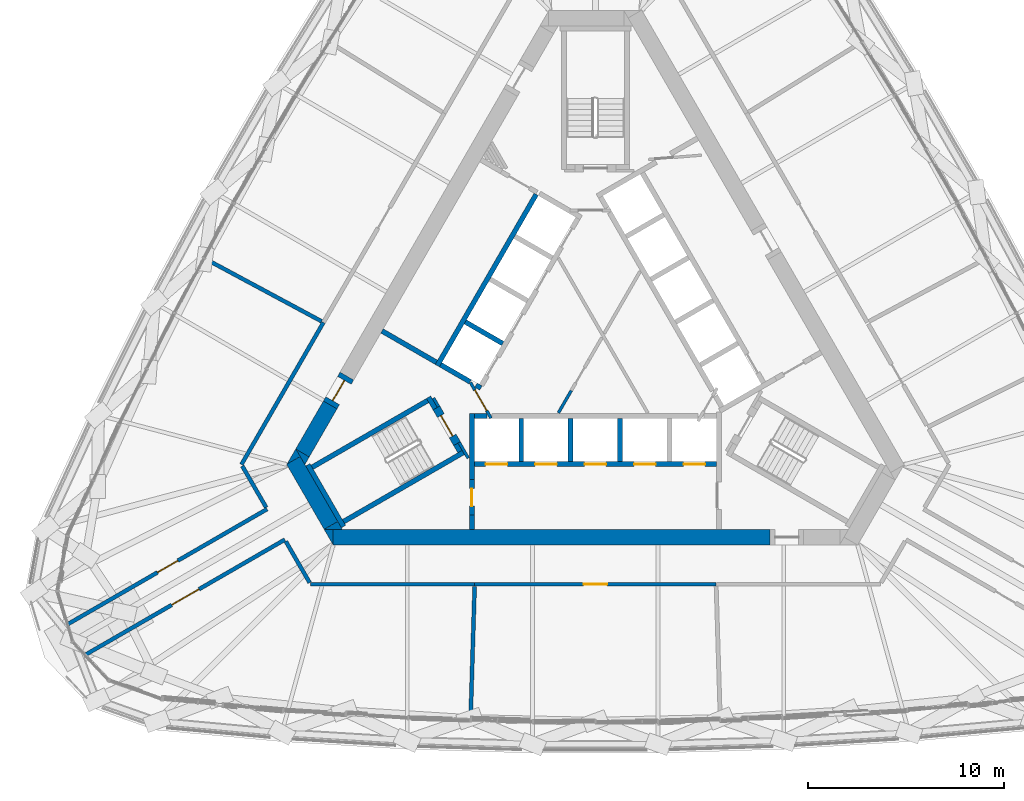
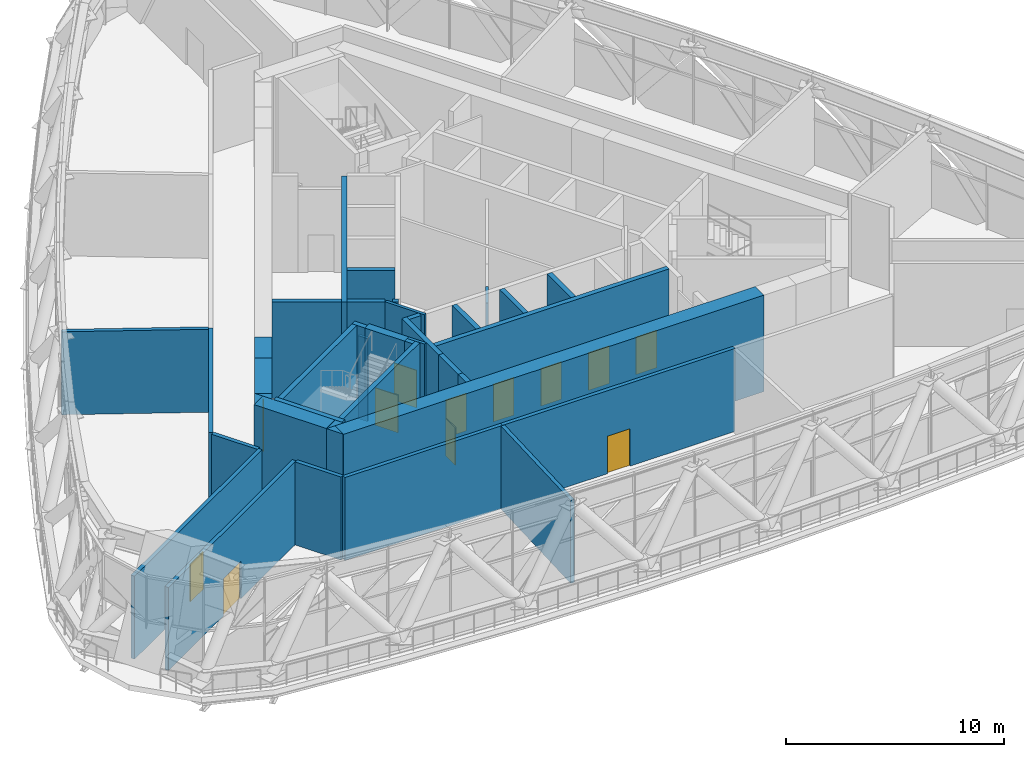
# One storey, part 22 of 35: 40 walls, 12 doors, 12 openings.
"""IFC4 building model written with IfcOpenShell, lengths in metres."""

from ifc_helpers import new_model, si_unit, direction, frame, frame_2d, origin, place, context, subcontext, project, spatial, polyline, rectangle, outline, extrude, material, layer, layer_set, type_object, element, fill, save


model = new_model("IFC4")

# Units and contexts
model_context = context("Model", 3, precision=1e-05, world=origin(), true_north=direction((0.0, 1.0)))
body_context = subcontext(model_context, "Body", "Model", "MODEL_VIEW")
ifc_project = project(units=[si_unit("LENGTHUNIT", "METRE"), si_unit("AREAUNIT", "SQUARE_METRE"), si_unit("VOLUMEUNIT", "CUBIC_METRE"), si_unit("PLANEANGLEUNIT", "RADIAN"), si_unit("MASSUNIT", "GRAM", prefix="KILO")], contexts=[model_context])

# Site, building, storey
site_placement = place(None, origin())
site = spatial("IfcSite", under=ifc_project, at=site_placement, CompositionType="ELEMENT")
building_placement = place(site_placement, origin())
building = spatial("IfcBuilding", under=site, at=building_placement, Name="Mestral Congress Tower", CompositionType="ELEMENT")
storey_placement = place(building_placement, frame((0.0, 0.0, 196.199951171875)))
storey = spatial("IfcBuildingStorey", under=building, at=storey_placement, Name="L46", CompositionType="ELEMENT", Elevation=196.199951171875)

# Walls
ifc_material_1 = material(Name="Fire-rated board partition")
ifc_layer_1 = layer(ifc_material_1, 0.14990234375)
ifc_layer_set_1 = layer_set([ifc_layer_1], Name="Fire-rated board partition")
wall_type_1 = type_object("IfcWallType", Name="Core partition 150", PredefinedType="PARTITIONING", material=ifc_layer_set_1)
wall_1_placement = place(storey_placement, frame((-8.251953125, -2.958251953125, 0.0), z_axis=(0.0, 0.0, 1.0), x_axis=(0.500174715838, -0.865924508047, 0.0)))
element("IfcWall", 1, at=wall_1_placement, inside=storey, type_object=wall_type_1, Name="L46 core wall", PredefinedType="PARTITIONING", context=body_context, shape_type="SweptSolid", body=[
    extrude(rectangle(XDim=0.513916015625, YDim=0.14990234375, at=frame_2d((0.2568359375, 0.0))), origin(), (0.0, 0.0, 1.0), 4.650146484375),
])
wall_2_placement = place(storey_placement, frame((-1.886962890625, -3.71826171875, 0.0), z_axis=(0.0, 0.0, 1.0), x_axis=(0.500033191285, 0.866006239939, 0.0)))
element("IfcWall", 2, at=wall_2_placement, inside=storey, type_object=wall_type_1, Name="L46 core wall", PredefinedType="PARTITIONING", context=body_context, shape_type="SweptSolid", body=[
    extrude(rectangle(XDim=1.31494140625, YDim=0.14990234375, at=frame_2d((0.657470703125, 0.0))), origin(), (0.0, 0.0, 1.0), 4.650146484375),
])
ifc_material_2 = material(Name="Concrete C60/75", Category="concrete")
ifc_layer_2 = layer(ifc_material_2, 0.800048828125)
ifc_layer_set_2 = layer_set([ifc_layer_2], Name="Concrete C60/75")
wall_type_2 = type_object("IfcWallType", Name="Core wall RC 800", PredefinedType="SOLIDWALL", material=ifc_layer_set_2)
wall_3_placement = place(storey_placement, frame((-13.377685546875, -10.050048828125, 0.0), z_axis=(0.0, 0.0, 1.0), x_axis=(1.0, 0.0, 0.0)))
element("IfcWall", 3, at=wall_3_placement, inside=storey, type_object=wall_type_2, Name="L46 core wall", PredefinedType="SOLIDWALL", context=body_context, shape_type="SweptSolid", body=[
    extrude(rectangle(XDim=22.281982421875, YDim=0.800048828125, at=frame_2d((11.14111328125, 0.0))), origin(), (0.0, 0.0, 1.0), 5.400146484375),
])
placement = place(storey_placement, origin())
element("IfcWall", 4, at=placement, inside=storey, type_object=wall_type_2, Name="L46 core wall", PredefinedType="SOLIDWALL", context=body_context, shape_type="SweptSolid", body=[
    extrude(outline(polyline([(-13.82763671875, -9.64990234375), (-13.379638671875, -9.64990234375), (-13.379638671875, -10.42578125), (-13.82763671875, -9.64990234375)])), origin(), (0.0, 0.0, 1.0), 5.400146484375),
])
wall_5_placement = place(storey_placement, frame((-15.392333984375, -6.1396484375, 0.0), z_axis=(0.0, 0.0, 1.0), x_axis=(0.499984020225, -0.866034629516, 0.0)))
element("IfcWall", 5, at=wall_5_placement, inside=storey, type_object=wall_type_2, Name="L46 core wall", PredefinedType="SOLIDWALL", context=body_context, shape_type="SweptSolid", body=[
    extrude(rectangle(XDim=3.824462890625, YDim=0.800048828125, at=frame_2d((1.912109375, 0.0))), origin(), (0.0, 0.0, 1.0), 5.400146484375),
])
element("IfcWall", 6, at=placement, inside=storey, type_object=wall_type_2, Name="L46 core wall", PredefinedType="SOLIDWALL", context=body_context, shape_type="SweptSolid", body=[
    extrude(outline(polyline([(-15.046875, -5.93798828125), (-15.718994140625, -6.325927734375), (-15.27099609375, -5.550048828125), (-15.046875, -5.93798828125)])), origin(), (0.0, 0.0, 1.0), 5.400146484375),
])
element("IfcWall", 7, at=placement, inside=storey, type_object=wall_type_2, Name="L46 core wall", PredefinedType="SOLIDWALL", context=body_context, shape_type="SweptSolid", body=[
    extrude(outline(polyline([(-12.90380859375, -9.64990234375), (-13.81982421875, -9.64990234375), (-13.1328125, -9.25341796875), (-12.90380859375, -9.64990234375)])), origin(), (0.0, 0.0, 1.0), 5.400146484375),
])
wall_8_placement = place(storey_placement, frame((-13.518310546875, -3.314208984375, 0.0), z_axis=(0.0, 0.0, 1.0), x_axis=(-0.499969377405, -0.866043083026, 0.0)))
element("IfcWall", 8, at=wall_8_placement, inside=storey, type_object=wall_type_2, Name="L46 core wall", PredefinedType="SOLIDWALL", context=body_context, shape_type="SweptSolid", body=[
    extrude(rectangle(XDim=2.824462890625, YDim=0.800048828125, at=frame_2d((1.412109375, 0.0))), origin(), (0.0, 0.0, 1.0), 5.400146484375),
])
element("IfcWall", 9, at=placement, inside=storey, type_object=wall_type_2, Name="L46 core wall", PredefinedType="SOLIDWALL", context=body_context, shape_type="SweptSolid", body=[
    extrude(outline(polyline([(-14.80908203125, -6.35009765625), (-15.257080078125, -5.573974609375), (-14.5849609375, -5.9619140625), (-14.80908203125, -6.35009765625)])), origin(), (0.0, 0.0, 1.0), 5.400146484375),
])

# Wall, opening, door
wall_10_placement = place(storey_placement, frame((-13.518310546875, -3.314208984375, 0.0), z_axis=(0.0, 0.0, 1.0), x_axis=(0.500000056704, 0.866025371046, 0.0)))
wall_10 = element("IfcWall", 10, at=wall_10_placement, inside=storey, type_object=wall_type_2, Name="L46 door wall", PredefinedType="SOLIDWALL", context=body_context, shape_type="SweptSolid", body=[
    extrude(rectangle(XDim=1.7001953125, YDim=0.800048828125, at=frame_2d((0.85009765625, 0.0))), origin(), (0.0, 0.0, 1.0), 5.400146484375),
])
opening_1_placement = place(wall_10_placement, frame((0.25, 0.0, 0.0)))
opening_1 = element("IfcOpeningElement", 11, at=opening_1_placement, cuts=wall_10, Name="Opening XD3", PredefinedType="OPENING", context=body_context, shape_type="SweptSolid", body=[
    extrude(rectangle(XDim=1.199951171875, YDim=2.10009765625, at=frame_2d((0.60009765625, 1.050048828125))), frame((0.0, 0.409912109375, 0.0), z_axis=(0.0, -1.0, 0.0), x_axis=(1.0, 0.0, 0.0)), (0.0, 0.0, 1.0), 0.820068359375),
])
ifc_material_3 = material(Name="Fire-rated steel door set", Category="steel")
door_type_1 = type_object("IfcDoorType", Name="Core door XD 1200x2100", OperationType="SINGLE_SWING_LEFT", PredefinedType="DOOR", material=ifc_material_3)
door_1_placement = place(opening_1_placement, origin())
door_1 = element("IfcDoor", 12, at=door_1_placement, inside=storey, type_object=door_type_1, Name="Door XD3", OperationType="SINGLE_SWING_LEFT", OverallHeight=2.10009765625, OverallWidth=1.199951171875, PredefinedType="DOOR", context=body_context, shape_type="SweptSolid", body=[
    extrude(rectangle(XDim=1.199951171875, YDim=2.10009765625, at=frame_2d((0.60009765625, 1.050048828125))), frame((0.0, 0.02490234375, 0.0), z_axis=(0.0, -1.0, 0.0), x_axis=(1.0, 0.0, 0.0)), (0.0, 0.0, 1.0), 0.050048828125),
])
fill(opening_1, door_1)

# Walls
ifc_layer_3 = layer(ifc_material_2, 0.25)
ifc_layer_set_3 = layer_set([ifc_layer_3], Name="Concrete C60/75")
wall_type_3 = type_object("IfcWallType", Name="Shaft wall RC 250", PredefinedType="SOLIDWALL", material=ifc_layer_set_3)
wall_11_placement = place(storey_placement, frame((-6.300048828125, -8.9248046875, 0.0), z_axis=(0.0, 0.0, 1.0), x_axis=(0.0, -1.0, 0.0)))
element("IfcWall", 13, at=wall_11_placement, inside=storey, type_object=wall_type_3, Name="L46 core wall", PredefinedType="SOLIDWALL", context=body_context, shape_type="SweptSolid", body=[
    extrude(rectangle(XDim=0.72509765625, YDim=0.25, at=frame_2d((0.362548828125, 0.0))), origin(), (0.0, 0.0, 1.0), 5.400146484375),
])
for number, where, z_axis, x_axis, name in (
    (14, (1.260009765625, -4.0, 0.0), (0.0, 0.0, 1.0), (0.0, -1.0, 0.0), "L46 core wall"),
    (15, (-1.260009765625, -4.0, 0.0), (0.0, 0.0, 1.0), (0.0, -1.0, 0.0), "L46 core wall"),
    (16, (-3.780029296875, -4.0, 0.0), (0.0, 0.0, 1.0), (0.0, -1.0, 0.0), "L46 core wall"),
):
    element("IfcWall", number, at=place(storey_placement, frame(where, z_axis=z_axis, x_axis=x_axis)), inside=storey, type_object=wall_type_3, Name=name, PredefinedType="SOLIDWALL", context=body_context, shape_type="SweptSolid", body=[
        extrude(rectangle(XDim=2.199951171875, YDim=0.25, at=frame_2d((1.10009765625, 0.0))), origin(), (0.0, 0.0, 1.0), 5.400146484375),
    ])
wall_12_placement = place(storey_placement, frame((-6.300048828125, -7.12451171875, 0.0), z_axis=(0.0, 0.0, 1.0), x_axis=(0.0, 1.0, 0.0)))
element("IfcWall", 17, at=wall_12_placement, inside=storey, type_object=wall_type_3, Name="L46 core wall", PredefinedType="SOLIDWALL", context=body_context, shape_type="SweptSolid", body=[
    extrude(rectangle(XDim=3.37451171875, YDim=0.25, at=frame_2d((1.687255859375, 0.0))), origin(), (0.0, 0.0, 1.0), 5.400146484375),
])
wall_13_placement = place(storey_placement, frame((-6.175048828125, -3.875, 0.0), z_axis=(0.0, 0.0, 1.0), x_axis=(1.0, 0.0, 0.0)))
element("IfcWall", 18, at=wall_13_placement, inside=storey, type_object=wall_type_3, Name="L46 core wall", PredefinedType="SOLIDWALL", context=body_context, shape_type="SweptSolid", body=[
    extrude(rectangle(XDim=0.63671875, YDim=0.25, at=frame_2d((0.318359375, 0.0))), origin(), (0.0, 0.0, 1.0), 5.400146484375),
])
wall_14_placement = place(storey_placement, frame((-3.02001953125, 7.4189453125, 0.0), z_axis=(0.0, 0.0, 1.0), x_axis=(-0.500022956343, -0.866012149528, 0.0)))
element("IfcWall", 19, at=wall_14_placement, inside=storey, type_object=wall_type_3, Name="L46 core wall", PredefinedType="SOLIDWALL", context=body_context, shape_type="SweptSolid", body=[
    extrude(rectangle(XDim=10.080078125, YDim=0.25, at=frame_2d((5.0400390625, 0.0))), origin(), (0.0, 0.0, 1.0), 5.400146484375),
])
wall_15_placement = place(storey_placement, frame((-4.72412109375, -0.182373046875, 0.0), z_axis=(0.0, 0.0, 1.0), x_axis=(-0.866008176907, 0.50002983664, 0.0)))
element("IfcWall", 20, at=wall_15_placement, inside=storey, type_object=wall_type_3, Name="L46 core wall", PredefinedType="SOLIDWALL", context=body_context, shape_type="SweptSolid", body=[
    extrude(rectangle(XDim=2.199951171875, YDim=0.25, at=frame_2d((1.10009765625, 0.0))), origin(), (0.0, 0.0, 1.0), 5.400146484375),
])
wall_16_placement = place(storey_placement, frame((-6.088134765625, -2.3046875, 0.0), z_axis=(0.0, 0.0, 1.0), x_axis=(0.866059450854, -0.499941024108, 0.0)))
element("IfcWall", 21, at=wall_16_placement, inside=storey, type_object=wall_type_3, Name="L46 core wall", PredefinedType="SOLIDWALL", context=body_context, shape_type="SweptSolid", body=[
    extrude(rectangle(XDim=0.2900390625, YDim=0.25, at=frame_2d((0.14501953125, 0.0))), origin(), (0.0, 0.0, 1.0), 5.400146484375),
])
wall_17_placement = place(storey_placement, frame((-7.889404296875, -1.2646484375, 0.0), z_axis=(0.0, 0.0, 1.0), x_axis=(0.865986741702, -0.500066958712, 0.0)))
element("IfcWall", 22, at=wall_17_placement, inside=storey, type_object=wall_type_3, Name="L46 core wall", PredefinedType="SOLIDWALL", context=body_context, shape_type="SweptSolid", body=[
    extrude(rectangle(XDim=1.738037109375, YDim=0.25, at=frame_2d((0.869140625, 0.0))), origin(), (0.0, 0.0, 1.0), 5.400146484375),
])
wall_18_placement = place(storey_placement, frame((-8.10595703125, -1.139892578125, 0.0), z_axis=(0.0, 0.0, 1.0), x_axis=(-0.866008981251, 0.500028443584, 0.0)))
element("IfcWall", 23, at=wall_18_placement, inside=storey, type_object=wall_type_3, Name="L46 core wall", PredefinedType="SOLIDWALL", context=body_context, shape_type="SweptSolid", body=[
    extrude(rectangle(XDim=3.199951171875, YDim=0.25, at=frame_2d((1.60009765625, 0.0))), origin(), (0.0, 0.0, 1.0), 5.400146484375),
])

# Wall, openings, doors
wall_19_placement = place(storey_placement, frame((-6.175048828125, -6.324951171875, 0.0), z_axis=(0.0, 0.0, 1.0), x_axis=(1.0, 0.0, 0.0)))
wall_19 = element("IfcWall", 24, at=wall_19_placement, inside=storey, type_object=wall_type_3, Name="L46 door wall", PredefinedType="SOLIDWALL", context=body_context, shape_type="SweptSolid", body=[
    extrude(rectangle(XDim=12.35009765625, YDim=0.25, at=frame_2d((6.175048828125, 0.0))), origin(), (0.0, 0.0, 1.0), 5.400146484375),
])
opening_2_placement = place(wall_19_placement, frame((0.5849609375, 0.0, 0.0)))
opening_2 = element("IfcOpeningElement", 25, at=opening_2_placement, cuts=wall_19, Name="Opening LD-SOB1", PredefinedType="OPENING", context=body_context, shape_type="SweptSolid", body=[
    extrude(rectangle(XDim=1.10009765625, YDim=2.10009765625, at=frame_2d((0.550048828125, 1.050048828125))), frame((0.0, 0.135009765625, 0.0), z_axis=(0.0, -1.0, 0.0), x_axis=(1.0, 0.0, 0.0)), (0.0, 0.0, 1.0), 0.27001953125),
])
opening_3_placement = place(wall_19_placement, frame((3.10498046875, 0.0, 0.0)))
opening_3 = element("IfcOpeningElement", 26, at=opening_3_placement, cuts=wall_19, Name="Opening LD-SOB2", PredefinedType="OPENING", context=body_context, shape_type="SweptSolid", body=[
    extrude(rectangle(XDim=1.10009765625, YDim=2.10009765625, at=frame_2d((0.550048828125, 1.050048828125))), frame((0.0, 0.135009765625, 0.0), z_axis=(0.0, -1.0, 0.0), x_axis=(1.0, 0.0, 0.0)), (0.0, 0.0, 1.0), 0.27001953125),
])
opening_4_placement = place(wall_19_placement, frame((5.625, 0.0, 0.0)))
opening_4 = element("IfcOpeningElement", 27, at=opening_4_placement, cuts=wall_19, Name="Opening LD-SOB3", PredefinedType="OPENING", context=body_context, shape_type="SweptSolid", body=[
    extrude(rectangle(XDim=1.10009765625, YDim=2.10009765625, at=frame_2d((0.550048828125, 1.050048828125))), frame((0.0, 0.135009765625, 0.0), z_axis=(0.0, -1.0, 0.0), x_axis=(1.0, 0.0, 0.0)), (0.0, 0.0, 1.0), 0.27001953125),
])
opening_5_placement = place(wall_19_placement, frame((8.14501953125, 0.0, 0.0)))
opening_5 = element("IfcOpeningElement", 28, at=opening_5_placement, cuts=wall_19, Name="Opening LD-SOB4", PredefinedType="OPENING", context=body_context, shape_type="SweptSolid", body=[
    extrude(rectangle(XDim=1.10009765625, YDim=2.10009765625, at=frame_2d((0.550048828125, 1.050048828125))), frame((0.0, 0.135009765625, 0.0), z_axis=(0.0, -1.0, 0.0), x_axis=(1.0, 0.0, 0.0)), (0.0, 0.0, 1.0), 0.27001953125),
])
opening_6_placement = place(wall_19_placement, frame((10.6650390625, 0.0, 0.0)))
opening_6 = element("IfcOpeningElement", 29, at=opening_6_placement, cuts=wall_19, Name="Opening LD-SOB5", PredefinedType="OPENING", context=body_context, shape_type="SweptSolid", body=[
    extrude(rectangle(XDim=1.10009765625, YDim=2.10009765625, at=frame_2d((0.550048828125, 1.050048828125))), frame((0.0, 0.135009765625, 0.0), z_axis=(0.0, -1.0, 0.0), x_axis=(1.0, 0.0, 0.0)), (0.0, 0.0, 1.0), 0.27001953125),
])
door_type_2 = type_object("IfcDoorType", Name="Core door LD 1100x2100", OperationType="DOUBLE_DOOR_SLIDING", PredefinedType="DOOR", material=ifc_material_3)
door_2_placement = place(opening_2_placement, origin())
door_2 = element("IfcDoor", 30, at=door_2_placement, inside=storey, type_object=door_type_2, Name="Door LD-SOB1", OperationType="DOUBLE_DOOR_SLIDING", OverallHeight=2.10009765625, OverallWidth=1.10009765625, PredefinedType="DOOR", context=body_context, shape_type="SweptSolid", body=[
    extrude(rectangle(XDim=1.10009765625, YDim=2.10009765625, at=frame_2d((0.550048828125, 1.050048828125))), frame((0.0, 0.02490234375, 0.0), z_axis=(0.0, -1.0, 0.0), x_axis=(1.0, 0.0, 0.0)), (0.0, 0.0, 1.0), 0.050048828125),
])
fill(opening_2, door_2)
door_3_placement = place(opening_3_placement, origin())
door_3 = element("IfcDoor", 31, at=door_3_placement, inside=storey, type_object=door_type_2, Name="Door LD-SOB2", OperationType="DOUBLE_DOOR_SLIDING", OverallHeight=2.10009765625, OverallWidth=1.10009765625, PredefinedType="DOOR", context=body_context, shape_type="SweptSolid", body=[
    extrude(rectangle(XDim=1.10009765625, YDim=2.10009765625, at=frame_2d((0.550048828125, 1.050048828125))), frame((0.0, 0.02490234375, 0.0), z_axis=(0.0, -1.0, 0.0), x_axis=(1.0, 0.0, 0.0)), (0.0, 0.0, 1.0), 0.050048828125),
])
fill(opening_3, door_3)
door_4_placement = place(opening_4_placement, origin())
door_4 = element("IfcDoor", 32, at=door_4_placement, inside=storey, type_object=door_type_2, Name="Door LD-SOB3", OperationType="DOUBLE_DOOR_SLIDING", OverallHeight=2.10009765625, OverallWidth=1.10009765625, PredefinedType="DOOR", context=body_context, shape_type="SweptSolid", body=[
    extrude(rectangle(XDim=1.10009765625, YDim=2.10009765625, at=frame_2d((0.550048828125, 1.050048828125))), frame((0.0, 0.02490234375, 0.0), z_axis=(0.0, -1.0, 0.0), x_axis=(1.0, 0.0, 0.0)), (0.0, 0.0, 1.0), 0.050048828125),
])
fill(opening_4, door_4)
door_5_placement = place(opening_5_placement, origin())
door_5 = element("IfcDoor", 33, at=door_5_placement, inside=storey, type_object=door_type_2, Name="Door LD-SOB4", OperationType="DOUBLE_DOOR_SLIDING", OverallHeight=2.10009765625, OverallWidth=1.10009765625, PredefinedType="DOOR", context=body_context, shape_type="SweptSolid", body=[
    extrude(rectangle(XDim=1.10009765625, YDim=2.10009765625, at=frame_2d((0.550048828125, 1.050048828125))), frame((0.0, 0.02490234375, 0.0), z_axis=(0.0, -1.0, 0.0), x_axis=(1.0, 0.0, 0.0)), (0.0, 0.0, 1.0), 0.050048828125),
])
fill(opening_5, door_5)
door_6_placement = place(opening_6_placement, origin())
door_6 = element("IfcDoor", 34, at=door_6_placement, inside=storey, type_object=door_type_2, Name="Door LD-SOB5", OperationType="DOUBLE_DOOR_SLIDING", OverallHeight=2.10009765625, OverallWidth=1.10009765625, PredefinedType="DOOR", context=body_context, shape_type="SweptSolid", body=[
    extrude(rectangle(XDim=1.10009765625, YDim=2.10009765625, at=frame_2d((0.550048828125, 1.050048828125))), frame((0.0, 0.02490234375, 0.0), z_axis=(0.0, -1.0, 0.0), x_axis=(1.0, 0.0, 0.0)), (0.0, 0.0, 1.0), 0.050048828125),
])
fill(opening_6, door_6)

# Wall, opening, door
wall_20_placement = place(storey_placement, frame((-6.300048828125, -7.12451171875, 0.0), z_axis=(0.0, 0.0, 1.0), x_axis=(0.0, -1.0, 0.0)))
wall_20 = element("IfcWall", 35, at=wall_20_placement, inside=storey, type_object=wall_type_3, Name="L46 door wall", PredefinedType="SOLIDWALL", context=body_context, shape_type="SweptSolid", body=[
    extrude(rectangle(XDim=1.800048828125, YDim=0.25, at=frame_2d((0.89990234375, 0.0))), origin(), (0.0, 0.0, 1.0), 5.400146484375),
])
opening_7_placement = place(wall_20_placement, frame((0.449951171875, 0.0, 0.0)))
opening_7 = element("IfcOpeningElement", 36, at=opening_7_placement, cuts=wall_20, Name="Opening TD3", PredefinedType="OPENING", context=body_context, shape_type="SweptSolid", body=[
    extrude(rectangle(XDim=0.89990234375, YDim=2.10009765625, at=frame_2d((0.449951171875, 1.050048828125))), frame((0.0, 0.135009765625, 0.0), z_axis=(0.0, -1.0, 0.0), x_axis=(1.0, 0.0, 0.0)), (0.0, 0.0, 1.0), 0.27001953125),
])
door_type_3 = type_object("IfcDoorType", Name="Core door SR 900x2100", OperationType="SINGLE_SWING_LEFT", PredefinedType="DOOR", material=ifc_material_3)
door_7_placement = place(opening_7_placement, origin())
door_7 = element("IfcDoor", 37, at=door_7_placement, inside=storey, type_object=door_type_3, Name="Door TD3", OperationType="SINGLE_SWING_LEFT", OverallHeight=2.10009765625, OverallWidth=0.89990234375, PredefinedType="DOOR", context=body_context, shape_type="SweptSolid", body=[
    extrude(rectangle(XDim=0.89990234375, YDim=2.10009765625, at=frame_2d((0.449951171875, 1.050048828125))), frame((0.0, 0.02490234375, 0.0), z_axis=(0.0, -1.0, 0.0), x_axis=(1.0, 0.0, 0.0)), (0.0, 0.0, 1.0), 0.050048828125),
])
fill(opening_7, door_7)

# Wall
ifc_layer_4 = layer(ifc_material_2, 0.14990234375)
ifc_layer_set_4 = layer_set([ifc_layer_4], Name="Concrete C60/75")
wall_type_4 = type_object("IfcWallType", Name="Shaft wall RC 250 door-wall 150", PredefinedType="SOLIDWALL", material=ifc_layer_set_4)
wall_21_placement = place(storey_placement, frame((-6.48046875, -6.026611328125, 0.0), z_axis=(0.0, 0.0, 1.0), x_axis=(-0.499927229454, 0.866067413802, 0.0)))
element("IfcWall", 38, at=wall_21_placement, inside=storey, type_object=wall_type_4, Name="L46 core wall", PredefinedType="PARTITIONING", context=body_context, shape_type="SweptSolid", body=[
    extrude(rectangle(XDim=0.928955078125, YDim=0.14990234375, at=frame_2d((0.46435546875, 0.0))), origin(), (0.0, 0.0, 1.0), 5.400146484375),
])

# Wall, opening, door
wall_22_placement = place(storey_placement, frame((-5.3173828125, -3.98974609375, 0.0), z_axis=(0.0, 0.0, 1.0), x_axis=(-0.500027713859, 0.866009402589, 0.0)))
wall_22 = element("IfcWall", 39, at=wall_22_placement, inside=storey, type_object=wall_type_4, Name="L46 door wall", PredefinedType="PARTITIONING", context=body_context, shape_type="SweptSolid", body=[
    extrude(rectangle(XDim=2.10009765625, YDim=0.14990234375, at=frame_2d((1.050048828125, 0.0))), origin(), (0.0, 0.0, 1.0), 5.400146484375),
])
opening_8_placement = place(wall_22_placement, frame((0.449951171875, 0.0, 0.0)))
opening_8 = element("IfcOpeningElement", 40, at=opening_8_placement, cuts=wall_22, Name="Opening CD3-FF", PredefinedType="OPENING", context=body_context, shape_type="SweptSolid", body=[
    extrude(rectangle(XDim=1.199951171875, YDim=2.10009765625, at=frame_2d((0.60009765625, 1.050048828125))), frame((0.0, 0.0849609375, 0.0), z_axis=(0.0, -1.0, 0.0), x_axis=(1.0, 0.0, 0.0)), (0.0, 0.0, 1.0), 0.169921875),
])
door_type_4 = type_object("IfcDoorType", Name="Core door CD 1200x2100", OperationType="SINGLE_SWING_LEFT", PredefinedType="DOOR", material=ifc_material_3)
door_8_placement = place(opening_8_placement, origin())
door_8 = element("IfcDoor", 41, at=door_8_placement, inside=storey, type_object=door_type_4, Name="Door CD3-FF", OperationType="SINGLE_SWING_LEFT", OverallHeight=2.10009765625, OverallWidth=1.199951171875, PredefinedType="DOOR", context=body_context, shape_type="SweptSolid", body=[
    extrude(rectangle(XDim=1.199951171875, YDim=2.10009765625, at=frame_2d((0.60009765625, 1.050048828125))), frame((0.0, 0.02490234375, 0.0), z_axis=(0.0, -1.0, 0.0), x_axis=(1.0, 0.0, 0.0)), (0.0, 0.0, 1.0), 0.050048828125),
])
fill(opening_8, door_8)

ifc_material_4 = material(Name="Concrete block wall, plastered", Category="concrete")
ifc_layer_5 = layer(ifc_material_4, 0.199951171875)
ifc_layer_set_5 = layer_set([ifc_layer_5], Name="Concrete block wall, plastered")
wall_type_5 = type_object("IfcWallType", Name="Special partition 200 EI 120", PredefinedType="PARTITIONING", material=ifc_layer_set_5)
wall_23_placement = place(storey_placement, frame((-6.15234375, -12.449951171875, 0.0), z_axis=(0.0, 0.0, 1.0), x_axis=(1.0, 0.0, 0.0)))
wall_23 = element("IfcWall", 42, at=wall_23_placement, inside=storey, type_object=wall_type_5, Name="Partition", PredefinedType="PARTITIONING", context=body_context, shape_type="SweptSolid", body=[
    extrude(rectangle(XDim=12.3046875, YDim=0.199951171875, at=frame_2d((6.15234375, 0.0))), origin(), (0.0, 0.0, 1.0), 4.650146484375),
])
opening_9_placement = place(wall_23_placement, frame((5.55224609375, 0.0, 0.0)))
opening_9 = element("IfcOpeningElement", 43, at=opening_9_placement, cuts=wall_23, Name="Opening S46-003", PredefinedType="OPENING", context=body_context, shape_type="SweptSolid", body=[
    extrude(rectangle(XDim=1.199951171875, YDim=2.10009765625, at=frame_2d((0.60009765625, 1.050048828125))), frame((0.0, 0.10986328125, 0.0), z_axis=(0.0, -1.0, 0.0), x_axis=(1.0, 0.0, 0.0)), (0.0, 0.0, 1.0), 0.219970703125),
])
door_type_5 = type_object("IfcDoorType", Name="Plant room door 1200x2100", OperationType="SINGLE_SWING_LEFT", PredefinedType="DOOR", material=ifc_material_3)
door_9_placement = place(opening_9_placement, origin())
door_9 = element("IfcDoor", 44, at=door_9_placement, inside=storey, type_object=door_type_5, Name="Door S46-003", OperationType="SINGLE_SWING_RIGHT", OverallHeight=2.10009765625, OverallWidth=1.199951171875, PredefinedType="DOOR", context=body_context, shape_type="SweptSolid", body=[
    extrude(rectangle(XDim=1.199951171875, YDim=2.10009765625, at=frame_2d((0.60009765625, 1.050048828125))), frame((0.0, 0.02490234375, 0.0), z_axis=(0.0, -1.0, 0.0), x_axis=(1.0, 0.0, 0.0)), (0.0, 0.0, 1.0), 0.050048828125),
])
fill(opening_9, door_9)

wall_24_placement = place(storey_placement, frame((-16.731201171875, -8.62060546875, 0.0), z_axis=(0.0, 0.0, 1.0), x_axis=(-0.866029647556, -0.4999926495, 0.0)))
wall_24 = element("IfcWall", 45, at=wall_24_placement, inside=storey, type_object=wall_type_5, Name="Partition", PredefinedType="PARTITIONING", context=body_context, shape_type="SweptSolid", body=[
    extrude(rectangle(XDim=11.706298828125, YDim=0.199951171875, at=frame_2d((5.85302734375, 0.0))), origin(), (0.0, 0.0, 1.0), 4.650146484375),
])
opening_10_placement = place(wall_24_placement, frame((5.253173828125, 0.0, 0.0)))
opening_10 = element("IfcOpeningElement", 46, at=opening_10_placement, cuts=wall_24, Name="Opening S46-001", PredefinedType="OPENING", context=body_context, shape_type="SweptSolid", body=[
    extrude(rectangle(XDim=1.199951171875, YDim=2.10009765625, at=frame_2d((0.60009765625, 1.050048828125))), frame((0.0, 0.10986328125, 0.0), z_axis=(0.0, -1.0, 0.0), x_axis=(1.0, 0.0, 0.0)), (0.0, 0.0, 1.0), 0.219970703125),
])
door_type_6 = type_object("IfcDoorType", Name="Refuge door 1200x2100", OperationType="SINGLE_SWING_LEFT", PredefinedType="DOOR", material=ifc_material_3)
door_10_placement = place(opening_10_placement, origin())
door_10 = element("IfcDoor", 47, at=door_10_placement, inside=storey, type_object=door_type_6, Name="Door S46-001", OperationType="SINGLE_SWING_RIGHT", OverallHeight=2.10009765625, OverallWidth=1.199951171875, PredefinedType="DOOR", context=body_context, shape_type="SweptSolid", body=[
    extrude(rectangle(XDim=1.199951171875, YDim=2.10009765625, at=frame_2d((0.60009765625, 1.050048828125))), frame((0.0, 0.02490234375, 0.0), z_axis=(0.0, -1.0, 0.0), x_axis=(1.0, 0.0, 0.0)), (0.0, 0.0, 1.0), 0.050048828125),
])
fill(opening_10, door_10)

wall_25_placement = place(storey_placement, frame((-25.968994140625, -16.032470703125, 0.0), z_axis=(0.0, 0.0, 1.0), x_axis=(0.866024433663, 0.500001680296, 0.0)))
wall_25 = element("IfcWall", 48, at=wall_25_placement, inside=storey, type_object=wall_type_5, Name="Partition", PredefinedType="PARTITIONING", context=body_context, shape_type="SweptSolid", body=[
    extrude(rectangle(XDim=11.7060546875, YDim=0.199951171875, at=frame_2d((5.85302734375, 0.0))), origin(), (0.0, 0.0, 1.0), 4.650146484375),
])
opening_11_placement = place(wall_25_placement, frame((5.052978515625, 0.0, 0.0)))
opening_11 = element("IfcOpeningElement", 49, at=opening_11_placement, cuts=wall_25, Name="Opening S46-002", PredefinedType="OPENING", context=body_context, shape_type="SweptSolid", body=[
    extrude(rectangle(XDim=1.60009765625, YDim=2.10009765625, at=frame_2d((0.800048828125, 1.050048828125))), frame((0.0, 0.10986328125, 0.0), z_axis=(0.0, -1.0, 0.0), x_axis=(1.0, 0.0, 0.0)), (0.0, 0.0, 1.0), 0.219970703125),
])
door_type_7 = type_object("IfcDoorType", Name="Plant room double door 1600x2100", OperationType="DOUBLE_DOOR_SINGLE_SWING", PredefinedType="DOOR", material=ifc_material_3)
door_11_placement = place(opening_11_placement, origin())
door_11 = element("IfcDoor", 50, at=door_11_placement, inside=storey, type_object=door_type_7, Name="Door S46-002", OperationType="DOUBLE_DOOR_SINGLE_SWING", OverallHeight=2.10009765625, OverallWidth=1.60009765625, PredefinedType="DOOR", context=body_context, shape_type="SweptSolid", body=[
    extrude(rectangle(XDim=1.60009765625, YDim=2.10009765625, at=frame_2d((0.800048828125, 1.050048828125))), frame((0.0, 0.02490234375, 0.0), z_axis=(0.0, -1.0, 0.0), x_axis=(1.0, 0.0, 0.0)), (0.0, 0.0, 1.0), 0.050048828125),
])
fill(opening_11, door_11)

# Walls
for number, where, z_axis, x_axis, name in (
    (51, (-6.161865234375, -12.449951171875, 0.0), (0.0, 0.0, 1.0), (-1.0, 0.0, 0.0), "Partition"),
    (52, (-18.042236328125, -6.35009765625, 0.0), (0.0, 0.0, 1.0), (0.499990460161, 0.866030911543, 0.0), "Partition"),
):
    element("IfcWall", number, at=place(storey_placement, frame(where, z_axis=z_axis, x_axis=x_axis)), inside=storey, type_object=wall_type_5, Name=name, PredefinedType="PARTITIONING", context=body_context, shape_type="SweptSolid", body=[
        extrude(rectangle(XDim=8.358642578125, YDim=0.199951171875, at=frame_2d((4.17919921875, 0.0))), origin(), (0.0, 0.0, 1.0), 4.650146484375),
    ])
wall_26_placement = place(storey_placement, frame((-6.155517578125, -12.559814453125, 0.0), z_axis=(0.0, 0.0, 1.0), x_axis=(-0.030506894933, -0.999534556362, 0.0)))
element("IfcWall", 53, at=wall_26_placement, inside=storey, type_object=wall_type_5, Name="Partition", PredefinedType="PARTITIONING", context=body_context, shape_type="SweptSolid", body=[
    extrude(rectangle(XDim=6.75439453125, YDim=0.199951171875, at=frame_2d((3.377197265625, 0.0))), origin(), (0.0, 0.0, 1.0), 4.650146484375),
])
wall_27_placement = place(storey_placement, frame((-19.90478515625, 4.146240234375, 0.0), z_axis=(0.0, 0.0, 1.0), x_axis=(0.880882800882, -0.473334438964, 0.0)))
element("IfcWall", 54, at=wall_27_placement, inside=storey, type_object=wall_type_5, Name="Partition", PredefinedType="PARTITIONING", context=body_context, shape_type="SweptSolid", body=[
    extrude(rectangle(XDim=6.754150390625, YDim=0.199951171875, at=frame_2d((3.376953125, 0.0))), origin(), (0.0, 0.0, 1.0), 4.650146484375),
])
wall_28_placement = place(storey_placement, frame((-16.78125, -8.533935546875, 0.0), z_axis=(0.0, 0.0, 1.0), x_axis=(-0.500058471214, 0.865991642781, 0.0)))
element("IfcWall", 55, at=wall_28_placement, inside=storey, type_object=wall_type_5, Name="Partition", PredefinedType="PARTITIONING", context=body_context, shape_type="SweptSolid", body=[
    extrude(rectangle(XDim=2.431884765625, YDim=0.199951171875, at=frame_2d((1.2158203125, 0.0))), origin(), (0.0, 0.0, 1.0), 4.650146484375),
])
wall_29_placement = place(storey_placement, frame((-14.5654296875, -12.3720703125, 0.0), z_axis=(0.0, 0.0, 1.0), x_axis=(-0.499983176524, 0.866035116605, 0.0)))
element("IfcWall", 56, at=wall_29_placement, inside=storey, type_object=wall_type_5, Name="Partition", PredefinedType="PARTITIONING", context=body_context, shape_type="SweptSolid", body=[
    extrude(rectangle(XDim=2.431640625, YDim=0.199951171875, at=frame_2d((1.2158203125, 0.0))), origin(), (0.0, 0.0, 1.0), 4.650146484375),
])
ifc_layer_6 = layer(ifc_material_2, 0.25)
ifc_layer_set_6 = layer_set([ifc_layer_6], Name="Concrete C60/75")
wall_type_6 = type_object("IfcWallType", Name="Stair wall RC 250", PredefinedType="SOLIDWALL", material=ifc_layer_set_6)
wall_30_placement = place(storey_placement, frame((-12.839599609375, -9.510986328125, 0.0), z_axis=(0.0, 0.0, 1.0), x_axis=(-0.499997733992, 0.866026712061, 0.0)))
element("IfcWall", 57, at=wall_30_placement, inside=storey, type_object=wall_type_6, Name="L46 core wall", PredefinedType="SOLIDWALL", context=body_context, shape_type="SweptSolid", body=[
    extrude(rectangle(XDim=3.6337890625, YDim=0.25, at=frame_2d((1.81689453125, 0.0))), origin(), (0.0, 0.0, 1.0), 5.400146484375),
])
wall_31_placement = place(storey_placement, frame((-14.43994140625, -6.489501953125, 0.0), z_axis=(0.0, 0.0, 1.0), x_axis=(0.866022966069, 0.500004222222, 0.0)))
element("IfcWall", 58, at=wall_31_placement, inside=storey, type_object=wall_type_6, Name="L46 core wall", PredefinedType="SOLIDWALL", context=body_context, shape_type="SweptSolid", body=[
    extrude(rectangle(XDim=6.80029296875, YDim=0.25, at=frame_2d((3.400146484375, 0.0))), origin(), (0.0, 0.0, 1.0), 5.400146484375),
])
wall_32_placement = place(storey_placement, frame((-8.167724609375, -3.503173828125, 0.0), z_axis=(0.0, 0.0, 1.0), x_axis=(-0.499952099219, 0.866053057547, 0.0)))
element("IfcWall", 59, at=wall_32_placement, inside=storey, type_object=wall_type_6, Name="L46 core wall", PredefinedType="SOLIDWALL", context=body_context, shape_type="SweptSolid", body=[
    extrude(rectangle(XDim=0.6748046875, YDim=0.25, at=frame_2d((0.33740234375, 0.0))), origin(), (0.0, 0.0, 1.0), 5.400146484375),
])
wall_33_placement = place(storey_placement, frame((-12.83984375, -9.2607421875, 0.0), z_axis=(0.0, 0.0, 1.0), x_axis=(0.866016039709, 0.500016218704, 0.0)))
element("IfcWall", 60, at=wall_33_placement, inside=storey, type_object=wall_type_6, Name="L46 core wall", PredefinedType="SOLIDWALL", context=body_context, shape_type="SweptSolid", body=[
    extrude(rectangle(XDim=7.050048828125, YDim=0.25, at=frame_2d((3.52490234375, 0.0))), origin(), (0.0, 0.0, 1.0), 5.400146484375),
])
wall_34_placement = place(storey_placement, frame((-6.905029296875, -5.68994140625, 0.0), z_axis=(0.0, 0.0, 1.0), x_axis=(-0.500402024738, 0.865793170242, 0.0)))
element("IfcWall", 61, at=wall_34_placement, inside=storey, type_object=wall_type_6, Name="L46 core wall", PredefinedType="SOLIDWALL", context=body_context, shape_type="SweptSolid", body=[
    extrude(rectangle(XDim=0.425048828125, YDim=0.25, at=frame_2d((0.21240234375, 0.0))), origin(), (0.0, 0.0, 1.0), 5.400146484375),
])

# Wall, opening, door
ifc_layer_7 = layer(ifc_material_2, 0.39990234375)
ifc_layer_set_7 = layer_set([ifc_layer_7], Name="Concrete C60/75")
wall_type_7 = type_object("IfcWallType", Name="Stair wall RC 250 door-wall 400", PredefinedType="SOLIDWALL", material=ifc_layer_set_7)
wall_35_placement = place(storey_placement, frame((-8.102783203125, -3.4658203125, 0.0), z_axis=(0.0, 0.0, 1.0), x_axis=(0.500078061341, -0.865980330357, 0.0)))
wall_35 = element("IfcWall", 62, at=wall_35_placement, inside=storey, type_object=wall_type_7, Name="L46 door wall", PredefinedType="SOLIDWALL", context=body_context, shape_type="SweptSolid", body=[
    extrude(rectangle(XDim=2.099853515625, YDim=0.39990234375, at=frame_2d((1.0498046875, 0.0))), origin(), (0.0, 0.0, 1.0), 5.400146484375),
])
opening_12_placement = place(wall_35_placement, frame((0.449951171875, 0.0, 0.0)))
opening_12 = element("IfcOpeningElement", 63, at=opening_12_placement, cuts=wall_35, Name="Opening ST-D3", PredefinedType="OPENING", context=body_context, shape_type="SweptSolid", body=[
    extrude(rectangle(XDim=1.199951171875, YDim=2.10009765625, at=frame_2d((0.60009765625, 1.050048828125))), frame((0.0, 0.2099609375, 0.0), z_axis=(0.0, -1.0, 0.0), x_axis=(1.0, 0.0, 0.0)), (0.0, 0.0, 1.0), 0.419921875),
])
door_type_8 = type_object("IfcDoorType", Name="Core door ST 1200x2100", OperationType="SINGLE_SWING_LEFT", PredefinedType="DOOR", material=ifc_material_3)
door_12_placement = place(opening_12_placement, origin())
door_12 = element("IfcDoor", 64, at=door_12_placement, inside=storey, type_object=door_type_8, Name="Door ST-D3", OperationType="SINGLE_SWING_LEFT", OverallHeight=2.10009765625, OverallWidth=1.199951171875, PredefinedType="DOOR", context=body_context, shape_type="SweptSolid", body=[
    extrude(rectangle(XDim=1.199951171875, YDim=2.10009765625, at=frame_2d((0.60009765625, 1.050048828125))), frame((0.0, 0.02490234375, 0.0), z_axis=(0.0, -1.0, 0.0), x_axis=(1.0, 0.0, 0.0)), (0.0, 0.0, 1.0), 0.050048828125),
])
fill(opening_12, door_12)

save(model, "model.ifc")
